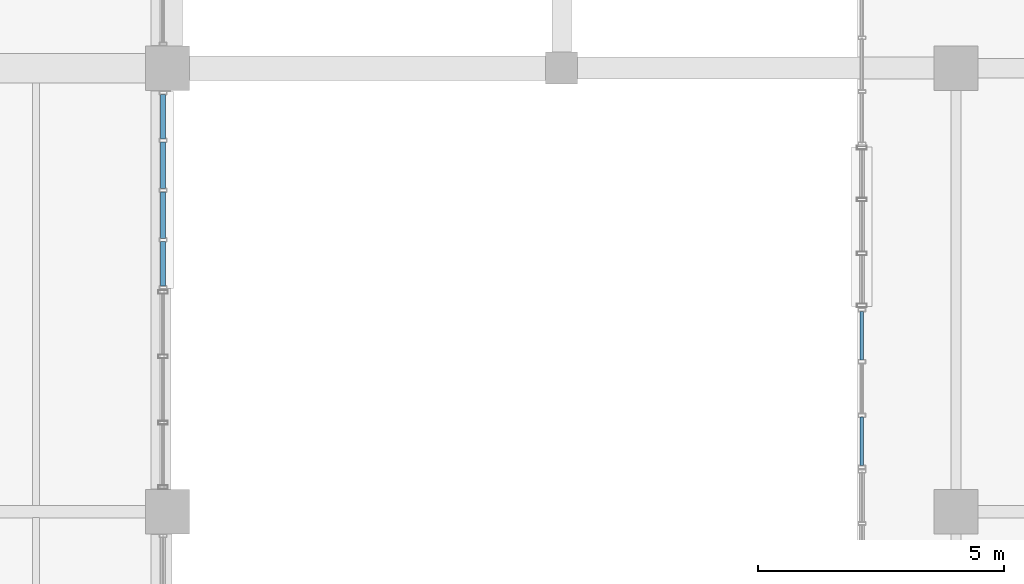
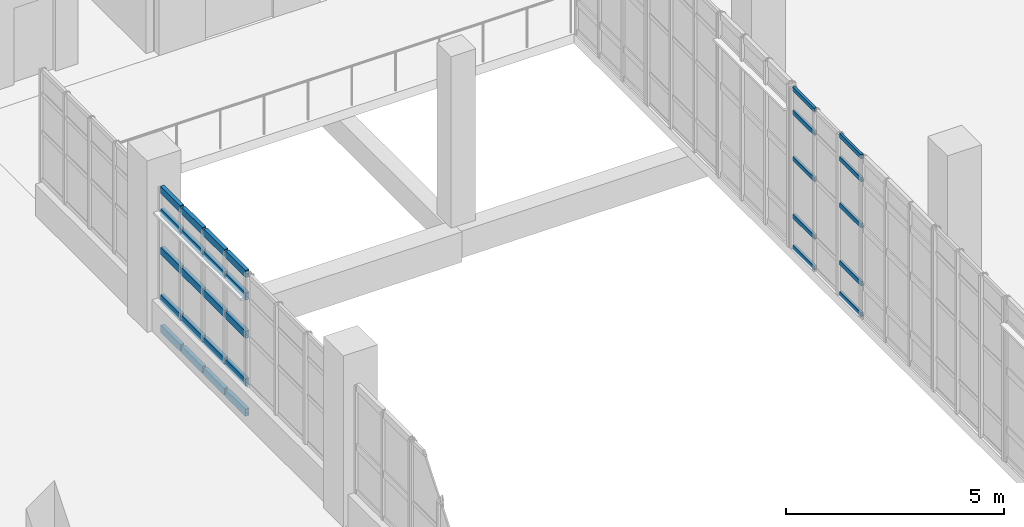
# One storey, part 61 of 102: 30 members, 2 elements without a shape of their own.
"""IFC4 building model written with IfcOpenShell, lengths in metres."""

from ifc_helpers import new_model, si_unit, derived_unit, direction, frame, origin, origin_2d, place, context, subcontext, project, spatial, hollow_rectangle, extrude, material, layer, layer_set, material_profile, profile_set, type_object, element, aggregate, save


model = new_model("IFC4")

# Units and contexts
model_context = context("Model", 3, precision=1e-05, world=origin(), true_north=direction((0.0, 1.0)))
body_context = subcontext(model_context, "Body", "Model", "MODEL_VIEW")
ifc_project = project(units=[si_unit("LENGTHUNIT", "METRE"), si_unit("AREAUNIT", "SQUARE_METRE"), si_unit("VOLUMEUNIT", "CUBIC_METRE"), si_unit("PLANEANGLEUNIT", "RADIAN"), si_unit("MASSUNIT", "GRAM", prefix="KILO"), derived_unit("THERMALTRANSMITTANCEUNIT", [(si_unit("POWERUNIT", "WATT"), 1), (si_unit("LENGTHUNIT", "METRE"), -2), (si_unit("THERMODYNAMICTEMPERATUREUNIT", "KELVIN"), -1)])], contexts=[model_context])

# Site, building, storey
site_placement = place(None, origin())
site = spatial("IfcSite", under=ifc_project, at=site_placement, CompositionType="ELEMENT")
building_placement = place(site_placement, origin())
building = spatial("IfcBuilding", under=site, at=building_placement, Name="Nallur Shell Playhouse", CompositionType="ELEMENT")
storey_placement = place(building_placement, frame((0.0, 0.0, 15.0)))
storey = spatial("IfcBuildingStorey", under=building, at=storey_placement, Name="L04", CompositionType="ELEMENT", Elevation=15.0)

# Curtain wall, members
ifc_material_1 = material(Name="Anodised Aluminium Double-Glazed Facade System", Category="aluminium")
ifc_layer_1 = layer(ifc_material_1, 0.172119140625)
ifc_layer_set_1 = layer_set([ifc_layer_1], Name="Anodised Aluminium Double-Glazed Facade System")
curtain_wall_type_1 = type_object("IfcCurtainWallType", Name="CW-UNIT-27", PredefinedType="NOTDEFINED", material=ifc_layer_set_1)
curtain_wall_1_placement = place(storey_placement, origin())
curtain_wall_1 = element("IfcCurtainWall", 1, at=curtain_wall_1_placement, inside=storey, type_object=curtain_wall_type_1, Name="Unitised curtain wall CW-155 (L04)", PredefinedType="NOTDEFINED")
ifc_material_2 = material(Name="Aluminium Alloy 6063-T6 Transom", Category="aluminium")
ifc_material_profile_1 = material_profile(ifc_material_2, hollow_rectangle(XDim=0.06494140625, YDim=0.1201171875, WallThickness=0.00390625, at=origin_2d()), Name="ALU 65x120x4")
ifc_profile_set_1 = profile_set([ifc_material_profile_1], Name="Aluminium Alloy 6063-T6 Transom")
member_type_1 = type_object("IfcMemberType", Name="MB-CW-TRN120", PredefinedType="USERDEFINED", material=ifc_profile_set_1)
member_1_placement = place(storey_placement, frame((54.090087890625, 56.93408203125, 0.032470703125), z_axis=(0.0, 1.0, 0.0), x_axis=(-1.0, 0.0, 0.0)))
member_1 = element("IfcMember", 2, at=member_1_placement, type_object=member_type_1, Name="CW-27 transom 1.1", ObjectType="TRANSOM", PredefinedType="USERDEFINED", context=body_context, shape_type="SweptSolid", body=[
    extrude(hollow_rectangle(XDim=0.06494140625, YDim=0.1201171875, WallThickness=0.00390625, at=origin_2d()), origin(), (0.0, 0.0, 1.0), 0.988037109375),
])
member_2_placement = place(storey_placement, frame((54.090087890625, 56.93408203125, 0.89990234375), z_axis=(0.0, 1.0, 0.0), x_axis=(-1.0, 0.0, 0.0)))
member_2 = element("IfcMember", 3, at=member_2_placement, type_object=member_type_1, Name="CW-27 transom 1.2", ObjectType="TRANSOM", PredefinedType="USERDEFINED", context=body_context, shape_type="SweptSolid", body=[
    extrude(hollow_rectangle(XDim=0.06494140625, YDim=0.1201171875, WallThickness=0.00390625, at=origin_2d()), origin(), (0.0, 0.0, 1.0), 0.988037109375),
])
member_3_placement = place(storey_placement, frame((54.090087890625, 56.93408203125, 2.513916015625), z_axis=(0.0, 1.0, 0.0), x_axis=(-1.0, 0.0, 0.0)))
member_3 = element("IfcMember", 4, at=member_3_placement, type_object=member_type_1, Name="CW-27 transom 1.3", ObjectType="TRANSOM", PredefinedType="USERDEFINED", context=body_context, shape_type="SweptSolid", body=[
    extrude(hollow_rectangle(XDim=0.06494140625, YDim=0.1201171875, WallThickness=0.00390625, at=origin_2d()), origin(), (0.0, 0.0, 1.0), 0.988037109375),
])
member_4_placement = place(storey_placement, frame((54.090087890625, 56.93408203125, 3.81005859375), z_axis=(0.0, 1.0, 0.0), x_axis=(-1.0, 0.0, 0.0)))
member_4 = element("IfcMember", 5, at=member_4_placement, type_object=member_type_1, Name="CW-27 transom 1.4", ObjectType="TRANSOM", PredefinedType="USERDEFINED", context=body_context, shape_type="SweptSolid", body=[
    extrude(hollow_rectangle(XDim=0.06494140625, YDim=0.1201171875, WallThickness=0.00390625, at=origin_2d()), origin(), (0.0, 0.0, 1.0), 0.988037109375),
])
member_5_placement = place(storey_placement, frame((54.090087890625, 56.93408203125, 4.45751953125), z_axis=(0.0, 1.0, 0.0), x_axis=(-1.0, 0.0, 0.0)))
member_5 = element("IfcMember", 6, at=member_5_placement, type_object=member_type_1, Name="CW-27 transom 1.5", ObjectType="TRANSOM", PredefinedType="USERDEFINED", context=body_context, shape_type="SweptSolid", body=[
    extrude(hollow_rectangle(XDim=0.06494140625, YDim=0.1201171875, WallThickness=0.00390625, at=origin_2d()), origin(), (0.0, 0.0, 1.0), 0.988037109375),
])
member_6_placement = place(storey_placement, frame((54.090087890625, 59.077880859375, 0.032470703125), z_axis=(0.0, 1.0, 0.0), x_axis=(-1.0, 0.0, 0.0)))
member_6 = element("IfcMember", 7, at=member_6_placement, type_object=member_type_1, Name="CW-27 transom 3.1", ObjectType="TRANSOM", PredefinedType="USERDEFINED", context=body_context, shape_type="SweptSolid", body=[
    extrude(hollow_rectangle(XDim=0.06494140625, YDim=0.1201171875, WallThickness=0.00390625, at=origin_2d()), origin(), (0.0, 0.0, 1.0), 0.988037109375),
])
member_7_placement = place(storey_placement, frame((54.090087890625, 59.077880859375, 0.89990234375), z_axis=(0.0, 1.0, 0.0), x_axis=(-1.0, 0.0, 0.0)))
member_7 = element("IfcMember", 8, at=member_7_placement, type_object=member_type_1, Name="CW-27 transom 3.2", ObjectType="TRANSOM", PredefinedType="USERDEFINED", context=body_context, shape_type="SweptSolid", body=[
    extrude(hollow_rectangle(XDim=0.06494140625, YDim=0.1201171875, WallThickness=0.00390625, at=origin_2d()), origin(), (0.0, 0.0, 1.0), 0.988037109375),
])
member_8_placement = place(storey_placement, frame((54.090087890625, 59.077880859375, 2.513916015625), z_axis=(0.0, 1.0, 0.0), x_axis=(-1.0, 0.0, 0.0)))
member_8 = element("IfcMember", 9, at=member_8_placement, type_object=member_type_1, Name="CW-27 transom 3.3", ObjectType="TRANSOM", PredefinedType="USERDEFINED", context=body_context, shape_type="SweptSolid", body=[
    extrude(hollow_rectangle(XDim=0.06494140625, YDim=0.1201171875, WallThickness=0.00390625, at=origin_2d()), origin(), (0.0, 0.0, 1.0), 0.988037109375),
])
member_9_placement = place(storey_placement, frame((54.090087890625, 59.077880859375, 3.81005859375), z_axis=(0.0, 1.0, 0.0), x_axis=(-1.0, 0.0, 0.0)))
member_9 = element("IfcMember", 10, at=member_9_placement, type_object=member_type_1, Name="CW-27 transom 3.4", ObjectType="TRANSOM", PredefinedType="USERDEFINED", context=body_context, shape_type="SweptSolid", body=[
    extrude(hollow_rectangle(XDim=0.06494140625, YDim=0.1201171875, WallThickness=0.00390625, at=origin_2d()), origin(), (0.0, 0.0, 1.0), 0.988037109375),
])
member_10_placement = place(storey_placement, frame((54.090087890625, 59.077880859375, 4.45751953125), z_axis=(0.0, 1.0, 0.0), x_axis=(-1.0, 0.0, 0.0)))
member_10 = element("IfcMember", 11, at=member_10_placement, type_object=member_type_1, Name="CW-27 transom 3.5", ObjectType="TRANSOM", PredefinedType="USERDEFINED", context=body_context, shape_type="SweptSolid", body=[
    extrude(hollow_rectangle(XDim=0.06494140625, YDim=0.1201171875, WallThickness=0.00390625, at=origin_2d()), origin(), (0.0, 0.0, 1.0), 0.988037109375),
])
aggregate(curtain_wall_1, [member_1, member_2, member_3, member_4, member_5, member_6, member_7, member_8, member_9, member_10])

ifc_layer_2 = layer(ifc_material_1, 0.159912109375)
ifc_layer_set_2 = layer_set([ifc_layer_2], Name="Anodised Aluminium Double-Glazed Facade System")
curtain_wall_type_2 = type_object("IfcCurtainWallType", Name="CW-UNIT-12", PredefinedType="NOTDEFINED", material=ifc_layer_set_2)
curtain_wall_2_placement = place(storey_placement, origin())
curtain_wall_2 = element("IfcCurtainWall", 12, at=curtain_wall_2_placement, inside=storey, type_object=curtain_wall_type_2, Name="Unitised curtain wall CW-140 (L04)", PredefinedType="NOTDEFINED")
ifc_material_profile_2 = material_profile(ifc_material_2, hollow_rectangle(XDim=0.10009765625, YDim=0.199951171875, WallThickness=0.008056640625, at=origin_2d()), Name="RHS 200x100x8")
ifc_profile_set_2 = profile_set([ifc_material_profile_2], Name="Aluminium Alloy 6063-T6 Transom")
member_type_2 = type_object("IfcMemberType", Name="MB-CW-TRN140", PredefinedType="USERDEFINED", material=ifc_profile_set_2)
member_11_placement = place(storey_placement, frame((39.909912109375, 64.469970703125, 0.050048828125), z_axis=(0.0, -1.0, 0.0), x_axis=(1.0, 0.0, 0.0)))
member_11 = element("IfcMember", 13, at=member_11_placement, type_object=member_type_2, Name="CW-12 transom 1.1", ObjectType="TRANSOM", PredefinedType="USERDEFINED", context=body_context, shape_type="SweptSolid", body=[
    extrude(hollow_rectangle(XDim=0.10009765625, YDim=0.199951171875, WallThickness=0.008056640625, at=origin_2d()), origin(), (0.0, 0.0, 1.0), 0.9052734375),
])
member_12_placement = place(storey_placement, frame((39.909912109375, 64.469970703125, 0.89990234375), z_axis=(0.0, -1.0, 0.0), x_axis=(1.0, 0.0, 0.0)))
member_12 = element("IfcMember", 14, at=member_12_placement, type_object=member_type_2, Name="CW-12 transom 1.2", ObjectType="TRANSOM", PredefinedType="USERDEFINED", context=body_context, shape_type="SweptSolid", body=[
    extrude(hollow_rectangle(XDim=0.10009765625, YDim=0.199951171875, WallThickness=0.008056640625, at=origin_2d()), origin(), (0.0, 0.0, 1.0), 0.9052734375),
])
member_13_placement = place(storey_placement, frame((39.909912109375, 64.469970703125, 2.23193359375), z_axis=(0.0, -1.0, 0.0), x_axis=(1.0, 0.0, 0.0)))
member_13 = element("IfcMember", 15, at=member_13_placement, type_object=member_type_2, Name="CW-12 transom 1.3", ObjectType="TRANSOM", PredefinedType="USERDEFINED", context=body_context, shape_type="SweptSolid", body=[
    extrude(hollow_rectangle(XDim=0.10009765625, YDim=0.199951171875, WallThickness=0.008056640625, at=origin_2d()), origin(), (0.0, 0.0, 1.0), 0.9052734375),
])
member_14_placement = place(storey_placement, frame((39.909912109375, 64.469970703125, 3.304931640625), z_axis=(0.0, -1.0, 0.0), x_axis=(1.0, 0.0, 0.0)))
member_14 = element("IfcMember", 16, at=member_14_placement, type_object=member_type_2, Name="CW-12 transom 1.4", ObjectType="TRANSOM", PredefinedType="USERDEFINED", context=body_context, shape_type="SweptSolid", body=[
    extrude(hollow_rectangle(XDim=0.10009765625, YDim=0.199951171875, WallThickness=0.008056640625, at=origin_2d()), origin(), (0.0, 0.0, 1.0), 0.9052734375),
])
member_15_placement = place(storey_placement, frame((39.909912109375, 64.469970703125, 3.93505859375), z_axis=(0.0, -1.0, 0.0), x_axis=(1.0, 0.0, 0.0)))
member_15 = element("IfcMember", 17, at=member_15_placement, type_object=member_type_2, Name="CW-12 transom 1.5", ObjectType="TRANSOM", PredefinedType="USERDEFINED", context=body_context, shape_type="SweptSolid", body=[
    extrude(hollow_rectangle(XDim=0.10009765625, YDim=0.199951171875, WallThickness=0.008056640625, at=origin_2d()), origin(), (0.0, 0.0, 1.0), 0.9052734375),
])
member_16_placement = place(storey_placement, frame((39.909912109375, 63.500732421875, 0.050048828125), z_axis=(0.0, -1.0, 0.0), x_axis=(1.0, 0.0, 0.0)))
member_16 = element("IfcMember", 18, at=member_16_placement, type_object=member_type_2, Name="CW-12 transom 2.1", ObjectType="TRANSOM", PredefinedType="USERDEFINED", context=body_context, shape_type="SweptSolid", body=[
    extrude(hollow_rectangle(XDim=0.10009765625, YDim=0.199951171875, WallThickness=0.008056640625, at=origin_2d()), origin(), (0.0, 0.0, 1.0), 0.9453125),
])
member_17_placement = place(storey_placement, frame((39.909912109375, 63.500732421875, 0.89990234375), z_axis=(0.0, -1.0, 0.0), x_axis=(1.0, 0.0, 0.0)))
member_17 = element("IfcMember", 19, at=member_17_placement, type_object=member_type_2, Name="CW-12 transom 2.2", ObjectType="TRANSOM", PredefinedType="USERDEFINED", context=body_context, shape_type="SweptSolid", body=[
    extrude(hollow_rectangle(XDim=0.10009765625, YDim=0.199951171875, WallThickness=0.008056640625, at=origin_2d()), origin(), (0.0, 0.0, 1.0), 0.9453125),
])
member_18_placement = place(storey_placement, frame((39.909912109375, 63.500732421875, 2.23193359375), z_axis=(0.0, -1.0, 0.0), x_axis=(1.0, 0.0, 0.0)))
member_18 = element("IfcMember", 20, at=member_18_placement, type_object=member_type_2, Name="CW-12 transom 2.3", ObjectType="TRANSOM", PredefinedType="USERDEFINED", context=body_context, shape_type="SweptSolid", body=[
    extrude(hollow_rectangle(XDim=0.10009765625, YDim=0.199951171875, WallThickness=0.008056640625, at=origin_2d()), origin(), (0.0, 0.0, 1.0), 0.9453125),
])
member_19_placement = place(storey_placement, frame((39.909912109375, 63.500732421875, 3.304931640625), z_axis=(0.0, -1.0, 0.0), x_axis=(1.0, 0.0, 0.0)))
member_19 = element("IfcMember", 21, at=member_19_placement, type_object=member_type_2, Name="CW-12 transom 2.4", ObjectType="TRANSOM", PredefinedType="USERDEFINED", context=body_context, shape_type="SweptSolid", body=[
    extrude(hollow_rectangle(XDim=0.10009765625, YDim=0.199951171875, WallThickness=0.008056640625, at=origin_2d()), origin(), (0.0, 0.0, 1.0), 0.9453125),
])
member_20_placement = place(storey_placement, frame((39.909912109375, 63.500732421875, 3.93505859375), z_axis=(0.0, -1.0, 0.0), x_axis=(1.0, 0.0, 0.0)))
member_20 = element("IfcMember", 22, at=member_20_placement, type_object=member_type_2, Name="CW-12 transom 2.5", ObjectType="TRANSOM", PredefinedType="USERDEFINED", context=body_context, shape_type="SweptSolid", body=[
    extrude(hollow_rectangle(XDim=0.10009765625, YDim=0.199951171875, WallThickness=0.008056640625, at=origin_2d()), origin(), (0.0, 0.0, 1.0), 0.9453125),
])
member_21_placement = place(storey_placement, frame((39.909912109375, 62.491455078125, 0.050048828125), z_axis=(0.0, -1.0, 0.0), x_axis=(1.0, 0.0, 0.0)))
member_21 = element("IfcMember", 23, at=member_21_placement, type_object=member_type_2, Name="CW-12 transom 3.1", ObjectType="TRANSOM", PredefinedType="USERDEFINED", context=body_context, shape_type="SweptSolid", body=[
    extrude(hollow_rectangle(XDim=0.10009765625, YDim=0.199951171875, WallThickness=0.008056640625, at=origin_2d()), origin(), (0.0, 0.0, 1.0), 0.9453125),
])
member_22_placement = place(storey_placement, frame((39.909912109375, 62.491455078125, 0.89990234375), z_axis=(0.0, -1.0, 0.0), x_axis=(1.0, 0.0, 0.0)))
member_22 = element("IfcMember", 24, at=member_22_placement, type_object=member_type_2, Name="CW-12 transom 3.2", ObjectType="TRANSOM", PredefinedType="USERDEFINED", context=body_context, shape_type="SweptSolid", body=[
    extrude(hollow_rectangle(XDim=0.10009765625, YDim=0.199951171875, WallThickness=0.008056640625, at=origin_2d()), origin(), (0.0, 0.0, 1.0), 0.9453125),
])
member_23_placement = place(storey_placement, frame((39.909912109375, 62.491455078125, 2.23193359375), z_axis=(0.0, -1.0, 0.0), x_axis=(1.0, 0.0, 0.0)))
member_23 = element("IfcMember", 25, at=member_23_placement, type_object=member_type_2, Name="CW-12 transom 3.3", ObjectType="TRANSOM", PredefinedType="USERDEFINED", context=body_context, shape_type="SweptSolid", body=[
    extrude(hollow_rectangle(XDim=0.10009765625, YDim=0.199951171875, WallThickness=0.008056640625, at=origin_2d()), origin(), (0.0, 0.0, 1.0), 0.9453125),
])
member_24_placement = place(storey_placement, frame((39.909912109375, 62.491455078125, 3.304931640625), z_axis=(0.0, -1.0, 0.0), x_axis=(1.0, 0.0, 0.0)))
member_24 = element("IfcMember", 26, at=member_24_placement, type_object=member_type_2, Name="CW-12 transom 3.4", ObjectType="TRANSOM", PredefinedType="USERDEFINED", context=body_context, shape_type="SweptSolid", body=[
    extrude(hollow_rectangle(XDim=0.10009765625, YDim=0.199951171875, WallThickness=0.008056640625, at=origin_2d()), origin(), (0.0, 0.0, 1.0), 0.9453125),
])
member_25_placement = place(storey_placement, frame((39.909912109375, 62.491455078125, 3.93505859375), z_axis=(0.0, -1.0, 0.0), x_axis=(1.0, 0.0, 0.0)))
member_25 = element("IfcMember", 27, at=member_25_placement, type_object=member_type_2, Name="CW-12 transom 3.5", ObjectType="TRANSOM", PredefinedType="USERDEFINED", context=body_context, shape_type="SweptSolid", body=[
    extrude(hollow_rectangle(XDim=0.10009765625, YDim=0.199951171875, WallThickness=0.008056640625, at=origin_2d()), origin(), (0.0, 0.0, 1.0), 0.9453125),
])
member_26_placement = place(storey_placement, frame((39.909912109375, 61.482177734375, 0.050048828125), z_axis=(0.0, -1.0, 0.0), x_axis=(1.0, 0.0, 0.0)))
member_26 = element("IfcMember", 28, at=member_26_placement, type_object=member_type_2, Name="CW-12 transom 4.1", ObjectType="TRANSOM", PredefinedType="USERDEFINED", context=body_context, shape_type="SweptSolid", body=[
    extrude(hollow_rectangle(XDim=0.10009765625, YDim=0.199951171875, WallThickness=0.008056640625, at=origin_2d()), origin(), (0.0, 0.0, 1.0), 0.9052734375),
])
member_27_placement = place(storey_placement, frame((39.909912109375, 61.482177734375, 0.89990234375), z_axis=(0.0, -1.0, 0.0), x_axis=(1.0, 0.0, 0.0)))
member_27 = element("IfcMember", 29, at=member_27_placement, type_object=member_type_2, Name="CW-12 transom 4.2", ObjectType="TRANSOM", PredefinedType="USERDEFINED", context=body_context, shape_type="SweptSolid", body=[
    extrude(hollow_rectangle(XDim=0.10009765625, YDim=0.199951171875, WallThickness=0.008056640625, at=origin_2d()), origin(), (0.0, 0.0, 1.0), 0.9052734375),
])
member_28_placement = place(storey_placement, frame((39.909912109375, 61.482177734375, 2.23193359375), z_axis=(0.0, -1.0, 0.0), x_axis=(1.0, 0.0, 0.0)))
member_28 = element("IfcMember", 30, at=member_28_placement, type_object=member_type_2, Name="CW-12 transom 4.3", ObjectType="TRANSOM", PredefinedType="USERDEFINED", context=body_context, shape_type="SweptSolid", body=[
    extrude(hollow_rectangle(XDim=0.10009765625, YDim=0.199951171875, WallThickness=0.008056640625, at=origin_2d()), origin(), (0.0, 0.0, 1.0), 0.9052734375),
])
member_29_placement = place(storey_placement, frame((39.909912109375, 61.482177734375, 3.304931640625), z_axis=(0.0, -1.0, 0.0), x_axis=(1.0, 0.0, 0.0)))
member_29 = element("IfcMember", 31, at=member_29_placement, type_object=member_type_2, Name="CW-12 transom 4.4", ObjectType="TRANSOM", PredefinedType="USERDEFINED", context=body_context, shape_type="SweptSolid", body=[
    extrude(hollow_rectangle(XDim=0.10009765625, YDim=0.199951171875, WallThickness=0.008056640625, at=origin_2d()), origin(), (0.0, 0.0, 1.0), 0.9052734375),
])
member_30_placement = place(storey_placement, frame((39.909912109375, 61.482177734375, 3.93505859375), z_axis=(0.0, -1.0, 0.0), x_axis=(1.0, 0.0, 0.0)))
member_30 = element("IfcMember", 32, at=member_30_placement, type_object=member_type_2, Name="CW-12 transom 4.5", ObjectType="TRANSOM", PredefinedType="USERDEFINED", context=body_context, shape_type="SweptSolid", body=[
    extrude(hollow_rectangle(XDim=0.10009765625, YDim=0.199951171875, WallThickness=0.008056640625, at=origin_2d()), origin(), (0.0, 0.0, 1.0), 0.9052734375),
])
aggregate(curtain_wall_2, [member_11, member_12, member_13, member_14, member_15, member_16, member_17, member_18, member_19, member_20, member_21, member_22, member_23, member_24, member_25, member_26, member_27, member_28, member_29, member_30])

save(model, "model.ifc")
